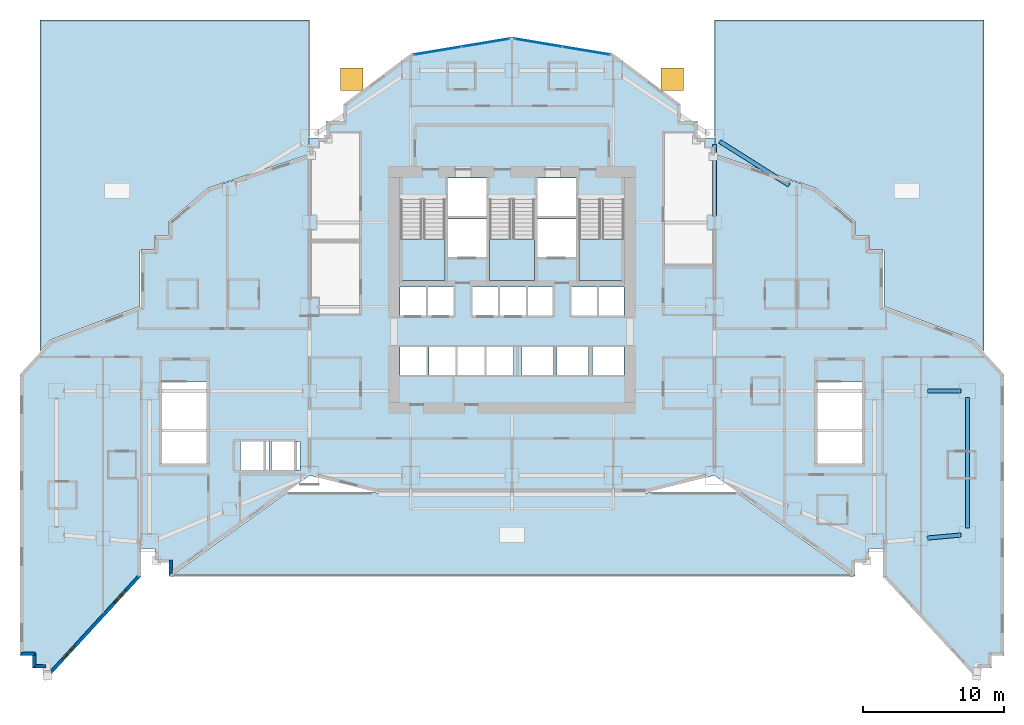
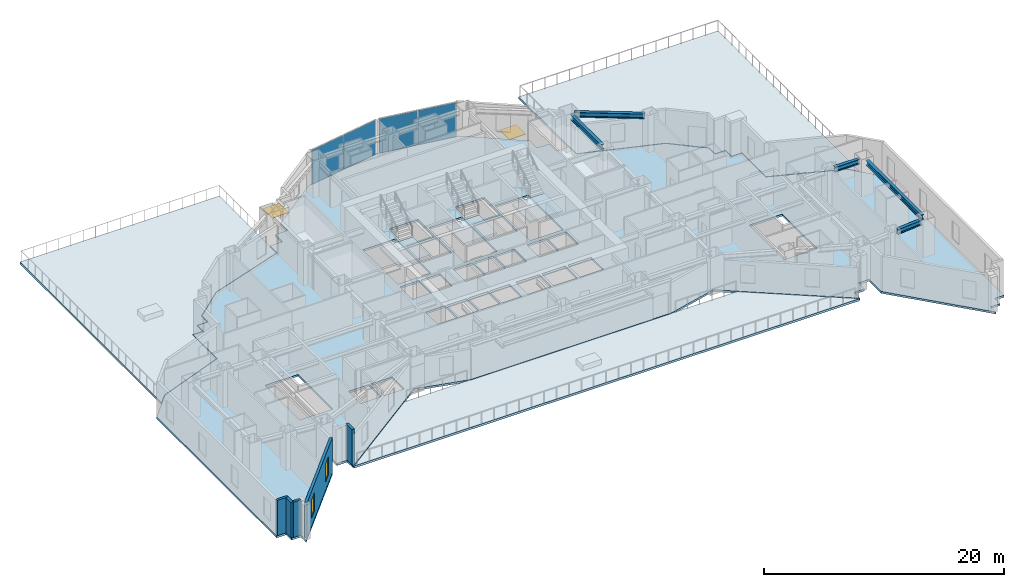
# One storey, part 6 of 20: 7 slabs, 5 beams, 5 walls, 4 plates, 4 windows, 4 openings, 5 elements without a shape of their own.
"""IFC4 building model written with IfcOpenShell, lengths in metres."""

from ifc_helpers import new_model, si_unit, direction, frame, frame_2d, origin, origin_2d, place, context, subcontext, project, spatial, polyline, rectangle, i_section, outline, extrude, material, layer, layer_set, material_profile, profile_set, type_object, element, fill, aggregate, save


model = new_model("IFC4")

# Units and contexts
model_context = context("Model", 3, precision=1e-05, world=origin(), true_north=direction((0.0, 1.0)))
body_context = subcontext(model_context, "Body", "Model", "MODEL_VIEW")
ifc_project = project(units=[si_unit("LENGTHUNIT", "METRE"), si_unit("AREAUNIT", "SQUARE_METRE"), si_unit("VOLUMEUNIT", "CUBIC_METRE"), si_unit("PLANEANGLEUNIT", "RADIAN"), si_unit("MASSUNIT", "GRAM", prefix="KILO")], contexts=[model_context])

# Site, building, storey
site_placement = place(None, origin())
site = spatial("IfcSite", under=ifc_project, at=site_placement, CompositionType="ELEMENT")
building_placement = place(site_placement, origin())
building = spatial("IfcBuilding", under=site, at=building_placement, Name="Haolan Belvedere Tower", CompositionType="ELEMENT")
storey_placement = place(building_placement, frame((0.0, 0.0, 24.0)))
storey = spatial("IfcBuildingStorey", under=building, at=storey_placement, Name="L05", CompositionType="ELEMENT", Elevation=24.0)

# Beams
ifc_material_1 = material(Name="Steel Q355B", Category="steel")
ifc_material_profile = material_profile(ifc_material_1, i_section(OverallWidth=0.300048828125, OverallDepth=0.488037109375, WebThickness=0.010986328125, FlangeThickness=0.01806640625, FilletRadius=0.02587890625, at=origin_2d()), Name="Steel Q355B")
ifc_profile_set = profile_set([ifc_material_profile], Name="Steel Q355B")
beam_type = type_object("IfcBeamType", Name="BM-HM488x300x11x18", PredefinedType="SPANDREL", material=ifc_profile_set)
beam_1_placement = place(storey_placement, frame((52.800048828125, 40.050048828125, 3.35595703125), z_axis=(0.0, 1.0, 0.0), x_axis=(-1.0, 0.0, 0.0)))
element("IfcBeam", 1, at=beam_1_placement, inside=storey, type_object=beam_type, Name="L05 spandrel girder TC-T3-E2-MC-T3-NE", PredefinedType="SPANDREL", context=body_context, shape_type="SweptSolid", body=[
    extrude(i_section(OverallWidth=0.300048828125, OverallDepth=0.488037109375, WebThickness=0.010986328125, FlangeThickness=0.01806640625, FilletRadius=0.02587890625, at=origin_2d()), origin(), (0.0, 0.0, 1.0), 5.099853515625),
])
beam_2_placement = place(storey_placement, frame((53.180419921875, 45.359619140625, 3.35595703125), z_axis=(0.845497840649, -0.533978839898, 0.0), x_axis=(0.533978839898, 0.845497840649, 0.0)))
element("IfcBeam", 2, at=beam_2_placement, inside=storey, type_object=beam_type, Name="L05 spandrel girder MC-T3-NE-TC-T4-N1", PredefinedType="SPANDREL", context=body_context, shape_type="SweptSolid", body=[
    extrude(i_section(OverallWidth=0.300048828125, OverallDepth=0.488037109375, WebThickness=0.010986328125, FlangeThickness=0.01806640625, FilletRadius=0.02587890625, at=origin_2d()), origin(), (0.0, 0.0, 1.0), 5.841796875),
])
beam_3_placement = place(storey_placement, frame((70.800048828125, 17.85009765625, 3.35595703125), z_axis=(0.0, 1.0, 0.0), x_axis=(-1.0, 0.0, 0.0)))
element("IfcBeam", 3, at=beam_3_placement, inside=storey, type_object=beam_type, Name="L05 spandrel girder MC-T5-SE-MC-T5-NE", PredefinedType="SPANDREL", context=body_context, shape_type="SweptSolid", body=[
    extrude(i_section(OverallWidth=0.300048828125, OverallDepth=0.488037109375, WebThickness=0.010986328125, FlangeThickness=0.01806640625, FilletRadius=0.02587890625, at=origin_2d()), origin(), (0.0, 0.0, 1.0), 9.2998046875),
])
beam_4_placement = place(storey_placement, frame((67.9482421875, 17.140625, 3.35595703125), z_axis=(0.995884080761, 0.090636072764, 0.0), x_axis=(-0.090636072764, 0.995884080761, 0.0)))
element("IfcBeam", 4, at=beam_4_placement, inside=storey, type_object=beam_type, Name="L05 spandrel girder TC-T5-M1-MC-T5-SE", PredefinedType="SPANDREL", context=body_context, shape_type="SweptSolid", body=[
    extrude(i_section(OverallWidth=0.300048828125, OverallDepth=0.488037109375, WebThickness=0.010986328125, FlangeThickness=0.01806640625, FilletRadius=0.02587890625, at=origin_2d()), origin(), (0.0, 0.0, 1.0), 2.41357421875),
])
beam_5_placement = place(storey_placement, frame((67.949951171875, 27.60009765625, 3.35595703125), z_axis=(1.0, 0.0, 0.0), x_axis=(0.0, 1.0, 0.0)))
element("IfcBeam", 5, at=beam_5_placement, inside=storey, type_object=beam_type, Name="L05 spandrel girder TC-T5-M2-MC-T5-NE", PredefinedType="SPANDREL", context=body_context, shape_type="SweptSolid", body=[
    extrude(i_section(OverallWidth=0.300048828125, OverallDepth=0.488037109375, WebThickness=0.010986328125, FlangeThickness=0.01806640625, FilletRadius=0.02587890625, at=origin_2d()), origin(), (0.0, 0.0, 1.0), 2.400146484375),
])

# Curtain wall, plates
ifc_material_2 = material(Name="Anodised champagne-silver aluminium 6063-T6 and Low-E glass", Category="aluminium")
ifc_layer_1 = layer(ifc_material_2, 0.1650390625, Name="Anodised champagne-silver aluminium 6063-T6 and Low-E glass")
ifc_layer_set_1 = layer_set([ifc_layer_1], Name="Anodised champagne-silver aluminium 6063-T6 and Low-E glass")
curtain_wall_type = type_object("IfcCurtainWallType", Name="CW-SYS-02", PredefinedType="NOTDEFINED", material=ifc_layer_set_1)
curtain_wall_1_placement = place(storey_placement, origin())
curtain_wall_1 = element("IfcCurtainWall", 6, at=curtain_wall_1_placement, inside=storey, type_object=curtain_wall_type, Name="L05 CW-SYS-02 ribbon curtain wall 42.1", PredefinedType="NOTDEFINED")
ifc_material_3 = material(Name="Double silver Low-E laminated insulating glass", Category="glass")
ifc_layer_2 = layer(ifc_material_3, 0.02587890625, Name="Double silver Low-E laminated insulating glass")
ifc_layer_set_2 = layer_set([ifc_layer_2], Name="Double silver Low-E laminated insulating glass")
plate_type = type_object("IfcPlateType", Name="CW-SYS-02-PNL", PredefinedType="CURTAIN_PANEL", material=ifc_layer_set_2)
plate_1_placement = place(storey_placement, frame((43.6796875, 51.79833984375, 0.05517578125), z_axis=(0.0, 0.0, 1.0), x_axis=(-0.9863931483, 0.16440364043, 0.0)))
plate_1 = element("IfcPlate", 7, at=plate_1_placement, type_object=plate_type, Name="CW-02 panel 1.1", PredefinedType="CURTAIN_PANEL", context=body_context, shape_type="SweptSolid", body=[
    extrude(rectangle(XDim=3.39501953125, YDim=0.02587890625, at=origin_2d()), origin(), (0.0, 0.0, 1.0), 3.489990234375),
])
plate_2_placement = place(storey_placement, frame((40.271728515625, 52.366455078125, 0.05517578125), z_axis=(0.0, 0.0, 1.0), x_axis=(-0.9863931483, 0.16440364043, 0.0)))
plate_2 = element("IfcPlate", 8, at=plate_2_placement, type_object=plate_type, Name="CW-02 panel 2.1", PredefinedType="CURTAIN_PANEL", context=body_context, shape_type="SweptSolid", body=[
    extrude(rectangle(XDim=3.39501953125, YDim=0.02587890625, at=origin_2d()), origin(), (0.0, 0.0, 1.0), 3.489990234375),
])
aggregate(curtain_wall_1, [plate_1, plate_2])

curtain_wall_2_placement = place(storey_placement, origin())
curtain_wall_2 = element("IfcCurtainWall", 9, at=curtain_wall_2_placement, inside=storey, type_object=curtain_wall_type, Name="L05 CW-SYS-02 ribbon curtain wall 43.1", PredefinedType="NOTDEFINED")
plate_3_placement = place(storey_placement, frame((36.5283203125, 52.366455078125, 0.05517578125), z_axis=(0.0, 0.0, 1.0), x_axis=(-0.9863931483, -0.16440364043, 0.0)))
plate_3 = element("IfcPlate", 10, at=plate_3_placement, type_object=plate_type, Name="CW-02 panel 1.1", PredefinedType="CURTAIN_PANEL", context=body_context, shape_type="SweptSolid", body=[
    extrude(rectangle(XDim=3.39501953125, YDim=0.02587890625, at=origin_2d()), origin(), (0.0, 0.0, 1.0), 3.489990234375),
])
plate_4_placement = place(storey_placement, frame((33.120361328125, 51.79833984375, 0.05517578125), z_axis=(0.0, 0.0, 1.0), x_axis=(-0.9863931483, -0.16440364043, 0.0)))
plate_4 = element("IfcPlate", 11, at=plate_4_placement, type_object=plate_type, Name="CW-02 panel 2.1", PredefinedType="CURTAIN_PANEL", context=body_context, shape_type="SweptSolid", body=[
    extrude(rectangle(XDim=3.39501953125, YDim=0.02587890625, at=origin_2d()), origin(), (0.0, 0.0, 1.0), 3.489990234375),
])
aggregate(curtain_wall_2, [plate_3, plate_4])

# Slab, openings, windows
ifc_material_4 = material(Name="Concrete C40/50", Category="concrete")
ifc_layer_3 = layer(ifc_material_4, 0.199951171875, Name="Concrete C40/50")
ifc_layer_set_3 = layer_set([ifc_layer_3], Name="Concrete C40/50")
slab_type_1 = type_object("IfcSlabType", Name="SL-FLR-200", PredefinedType="FLOOR", material=ifc_layer_set_3)
slab_1_placement = place(storey_placement, frame((0.0, 0.0, -0.199951171875)))
slab_1 = element("IfcSlab", 12, at=slab_1_placement, inside=storey, type_object=slab_type_1, Name="L05 structural floor slab", PredefinedType="FLOOR", context=body_context, shape_type="SweptSolid", body=[
    extrude(outline(polyline([(3.39990234375, 28.800048828125), (3.39990234375, 9.389892578125), (3.39990234375, 8.7900390625), (4.300048828125, 8.7900390625), (4.300048828125, 7.889892578125), (5.199951171875, 7.889892578125), (5.199951171875, 6.989990234375), (12.0, 14.39990234375), (12.0, 16.39990234375), (13.0, 16.39990234375), (13.0, 15.39990234375), (14.0, 15.39990234375), (14.0, 14.39990234375), (24.0, 21.60009765625), (28.800048828125, 20.39990234375), (48.0, 20.39990234375), (52.800048828125, 21.60009765625), (62.800048828125, 14.39990234375), (62.800048828125, 15.39990234375), (63.800048828125, 15.39990234375), (63.800048828125, 16.39990234375), (64.800048828125, 16.39990234375), (64.800048828125, 14.39990234375), (71.60009765625, 6.989990234375), (71.60009765625, 7.889892578125), (72.5, 7.889892578125), (72.5, 8.7900390625), (73.39990234375, 8.7900390625), (73.39990234375, 28.800048828125), (71.199951171875, 31.199951171875), (64.800048828125, 33.60009765625), (64.800048828125, 37.60009765625), (63.800048828125, 37.60009765625), (63.800048828125, 38.60009765625), (62.800048828125, 38.60009765625), (62.800048828125, 39.60009765625), (60.0, 42.0), (52.800048828125, 44.39990234375), (52.800048828125, 45.60009765625), (51.60009765625, 45.60009765625), (51.60009765625, 46.800048828125), (50.39990234375, 46.800048828125), (50.39990234375, 48.0), (45.60009765625, 51.60009765625), (38.39990234375, 52.800048828125), (31.199951171875, 51.60009765625), (26.39990234375, 48.0), (26.39990234375, 46.800048828125), (25.199951171875, 46.800048828125), (25.199951171875, 45.60009765625), (24.0, 45.60009765625), (24.0, 44.39990234375), (16.800048828125, 42.0), (14.0, 39.60009765625), (14.0, 38.60009765625), (13.0, 38.60009765625), (13.0, 37.60009765625), (12.0, 37.60009765625), (12.0, 33.60009765625), (5.60009765625, 31.199951171875), (3.39990234375, 28.800048828125)]), holes=[polyline([(30.449951171875, 41.22998046875), (30.449951171875, 35.449951171875), (33.6298828125, 35.449951171875), (33.6298828125, 41.22998046875), (30.449951171875, 41.22998046875)]), polyline([(36.81005859375, 41.22998046875), (36.81005859375, 35.449951171875), (39.989990234375, 35.449951171875), (39.989990234375, 41.22998046875), (36.81005859375, 41.22998046875)]), polyline([(43.169921875, 41.22998046875), (43.169921875, 35.449951171875), (46.35009765625, 35.449951171875), (46.35009765625, 41.22998046875), (43.169921875, 41.22998046875)]), polyline([(13.5, 28.22998046875), (13.5, 22.449951171875), (16.679931640625, 22.449951171875), (16.679931640625, 28.22998046875), (13.5, 28.22998046875)]), polyline([(60.1201171875, 28.22998046875), (60.1201171875, 22.449951171875), (63.300048828125, 22.449951171875), (63.300048828125, 28.22998046875), (60.1201171875, 28.22998046875)]), polyline([(33.830078125, 40.050048828125), (36.610107421875, 40.050048828125), (36.610107421875, 42.75), (33.830078125, 42.75), (33.830078125, 40.050048828125)]), polyline([(33.830078125, 37.14990234375), (36.610107421875, 37.14990234375), (36.610107421875, 39.85009765625), (33.830078125, 39.85009765625), (33.830078125, 37.14990234375)]), polyline([(40.18994140625, 40.050048828125), (42.969970703125, 40.050048828125), (42.969970703125, 42.75), (40.18994140625, 42.75), (40.18994140625, 40.050048828125)]), polyline([(40.18994140625, 37.14990234375), (42.969970703125, 37.14990234375), (42.969970703125, 39.85009765625), (40.18994140625, 39.85009765625), (40.18994140625, 37.14990234375)]), polyline([(30.419921875, 32.949951171875), (32.27001953125, 32.949951171875), (32.27001953125, 35.0), (30.419921875, 35.0), (30.419921875, 32.949951171875)]), polyline([(32.409912109375, 32.949951171875), (34.260009765625, 32.949951171875), (34.260009765625, 35.0), (32.409912109375, 35.0), (32.409912109375, 32.949951171875)]), polyline([(35.56005859375, 32.949951171875), (37.409912109375, 32.949951171875), (37.409912109375, 35.0), (35.56005859375, 35.0), (35.56005859375, 32.949951171875)]), polyline([(37.550048828125, 32.949951171875), (39.39990234375, 32.949951171875), (39.39990234375, 35.0), (37.550048828125, 35.0), (37.550048828125, 32.949951171875)]), polyline([(39.5400390625, 32.949951171875), (41.389892578125, 32.949951171875), (41.389892578125, 35.0), (39.5400390625, 35.0), (39.5400390625, 32.949951171875)]), polyline([(42.6201171875, 32.949951171875), (44.469970703125, 32.949951171875), (44.469970703125, 35.0), (42.6201171875, 35.0), (42.6201171875, 32.949951171875)]), polyline([(44.580078125, 32.949951171875), (46.3798828125, 32.949951171875), (46.3798828125, 35.0), (44.580078125, 35.0), (44.580078125, 32.949951171875)]), polyline([(30.419921875, 28.75), (32.320068359375, 28.75), (32.320068359375, 30.75), (30.419921875, 30.75), (30.419921875, 28.75)]), polyline([(32.47998046875, 28.75), (34.3798828125, 28.75), (34.3798828125, 30.75), (32.47998046875, 30.75), (32.47998046875, 28.75)]), polyline([(34.5400390625, 28.75), (36.43994140625, 28.75), (36.43994140625, 30.75), (34.5400390625, 30.75), (34.5400390625, 28.75)]), polyline([(36.60009765625, 28.75), (38.5, 28.75), (38.5, 30.75), (36.60009765625, 30.75), (36.60009765625, 28.75)]), polyline([(39.10009765625, 28.75), (41.340087890625, 28.75), (41.340087890625, 30.75), (39.10009765625, 30.75), (39.10009765625, 28.75)]), polyline([(41.610107421875, 28.75), (43.85009765625, 28.75), (43.85009765625, 30.75), (41.610107421875, 30.75), (41.610107421875, 28.75)]), polyline([(44.1201171875, 28.75), (46.360107421875, 28.75), (46.360107421875, 30.75), (44.1201171875, 30.75), (44.1201171875, 28.75)]), polyline([(19.10009765625, 22.0), (21.10009765625, 22.0), (21.10009765625, 24.0), (19.10009765625, 24.0), (19.10009765625, 22.0)]), polyline([(21.300048828125, 22.0), (23.300048828125, 22.0), (23.300048828125, 24.0), (21.300048828125, 24.0), (21.300048828125, 22.0)])]), origin(), (0.0, 0.0, 1.0), 0.199951171875),
])
opening_1_placement = place(slab_1_placement, frame((27.0, 49.800048828125, 0.0)))
opening_1 = element("IfcOpeningElement", 13, at=opening_1_placement, cuts=slab_1, Name="Opening SK-01", PredefinedType="OPENING", context=body_context, shape_type="SweptSolid", body=[
    extrude(rectangle(XDim=1.60009765625, YDim=1.60009765625, at=origin_2d()), frame((0.0, 0.0, -0.010009765625)), (0.0, 0.0, 1.0), 0.219970703125),
])
opening_2_placement = place(slab_1_placement, frame((49.800048828125, 49.800048828125, 0.0)))
opening_2 = element("IfcOpeningElement", 14, at=opening_2_placement, cuts=slab_1, Name="Opening SK-01", PredefinedType="OPENING", context=body_context, shape_type="SweptSolid", body=[
    extrude(rectangle(XDim=1.60009765625, YDim=1.60009765625, at=origin_2d()), frame((0.0, 0.0, -0.010009765625)), (0.0, 0.0, 1.0), 0.219970703125),
])
ifc_material_5 = material(Name="Laminated solar-control skylight glass", Category="glass")
window_type_1 = type_object("IfcWindowType", Name="WN-SKY-160", PartitioningType="SINGLE_PANEL", PredefinedType="SKYLIGHT", material=ifc_material_5)
window_1_placement = place(opening_1_placement, frame((0.0, 0.0, 0.14990234375)))
window_1 = element("IfcWindow", 15, at=window_1_placement, inside=storey, type_object=window_type_1, Name="L05 architectural daylight skylight SKY-L05-1", OverallHeight=1.60009765625, OverallWidth=1.60009765625, PartitioningType="SINGLE_PANEL", PredefinedType="SKYLIGHT", context=body_context, shape_type="SweptSolid", body=[
    extrude(rectangle(XDim=1.60009765625, YDim=1.60009765625, at=origin_2d()), origin(), (0.0, 0.0, 1.0), 0.050048828125),
])
fill(opening_1, window_1)
window_2_placement = place(opening_2_placement, frame((0.0, 0.0, 0.14990234375)))
window_2 = element("IfcWindow", 16, at=window_2_placement, inside=storey, type_object=window_type_1, Name="L05 architectural daylight skylight SKY-L05-2", OverallHeight=1.60009765625, OverallWidth=1.60009765625, PartitioningType="SINGLE_PANEL", PredefinedType="SKYLIGHT", context=body_context, shape_type="SweptSolid", body=[
    extrude(rectangle(XDim=1.60009765625, YDim=1.60009765625, at=origin_2d()), origin(), (0.0, 0.0, 1.0), 0.050048828125),
])
fill(opening_2, window_2)

# Stair, slab
stair_type = type_object("IfcStairType", Name="STR-DL-22R-173", PredefinedType="HALF_TURN_STAIR", material=ifc_material_4)
stair_1_placement = place(storey_placement, origin())
stair_1 = element("IfcStair", 17, at=stair_1_placement, inside=storey, type_object=stair_type, Name="L05 Smokeproof Core Exit Stair ST1", PredefinedType="HALF_TURN_STAIR")
ifc_layer_4 = layer(ifc_material_4, 0.199951171875, Name="Concrete C40/50")
ifc_layer_set_4 = layer_set([ifc_layer_4], Name="Concrete C40/50")
slab_type_2 = type_object("IfcSlabType", Name="SL-LAND-200", PredefinedType="LANDING", material=ifc_layer_set_4)
slab_2_placement = place(storey_placement, frame((0.0, 0.0, 1.699951171875)))
slab_2 = element("IfcSlab", 18, at=slab_2_placement, type_object=slab_type_2, Name="ST1 landing 1", PredefinedType="LANDING", context=body_context, shape_type="SweptSolid", body=[
    extrude(outline(polyline([(30.449951171875, 38.429931640625), (30.449951171875, 35.449951171875), (33.6298828125, 35.449951171875), (33.6298828125, 38.429931640625), (30.449951171875, 38.429931640625)])), origin(), (0.0, 0.0, 1.0), 0.199951171875),
])
aggregate(stair_1, [slab_2])

stair_2_placement = place(storey_placement, origin())
stair_2 = element("IfcStair", 19, at=stair_2_placement, inside=storey, type_object=stair_type, Name="L05 Smokeproof Core Exit Stair ST3", PredefinedType="HALF_TURN_STAIR")
slab_3_placement = place(storey_placement, frame((0.0, 0.0, 1.699951171875)))
slab_3 = element("IfcSlab", 20, at=slab_3_placement, type_object=slab_type_2, Name="ST3 landing 1", PredefinedType="LANDING", context=body_context, shape_type="SweptSolid", body=[
    extrude(outline(polyline([(36.81005859375, 38.429931640625), (36.81005859375, 35.449951171875), (39.989990234375, 35.449951171875), (39.989990234375, 38.429931640625), (36.81005859375, 38.429931640625)])), origin(), (0.0, 0.0, 1.0), 0.199951171875),
])
aggregate(stair_2, [slab_3])

stair_3_placement = place(storey_placement, origin())
stair_3 = element("IfcStair", 21, at=stair_3_placement, inside=storey, type_object=stair_type, Name="L05 Smokeproof Core Exit Stair ST2", PredefinedType="HALF_TURN_STAIR")
slab_4_placement = place(storey_placement, frame((0.0, 0.0, 1.699951171875)))
slab_4 = element("IfcSlab", 22, at=slab_4_placement, type_object=slab_type_2, Name="ST2 landing 1", PredefinedType="LANDING", context=body_context, shape_type="SweptSolid", body=[
    extrude(outline(polyline([(43.169921875, 38.429931640625), (43.169921875, 35.449951171875), (46.35009765625, 35.449951171875), (46.35009765625, 38.429931640625), (43.169921875, 38.429931640625)])), origin(), (0.0, 0.0, 1.0), 0.199951171875),
])
aggregate(stair_3, [slab_4])

# Slabs
ifc_layer_5 = layer(ifc_material_4, 0.219970703125, Name="Concrete C40/50")
ifc_layer_set_5 = layer_set([ifc_layer_5], Name="Concrete C40/50")
slab_type_3 = type_object("IfcSlabType", Name="SL-TER-220", PredefinedType="FLOOR", material=ifc_layer_set_5)
slab_5_placement = place(storey_placement, frame((0.0, 0.0, -0.239990234375)))
element("IfcSlab", 23, at=slab_5_placement, inside=storey, type_object=slab_type_3, Name="L05 planted garden terrace slab 1", PredefinedType="FLOOR", context=body_context, shape_type="SweptSolid", body=[
    extrude(outline(polyline([(54.381103515625, 20.39990234375), (48.206298828125, 20.39990234375), (48.014404296875, 20.35205078125), (48.010498046875, 20.351318359375), (48.001708984375, 20.35009765625), (47.997802734375, 20.35009765625), (28.80224609375, 20.35009765625), (28.798095703125, 20.35009765625), (28.78955078125, 20.351318359375), (28.78564453125, 20.35205078125), (28.593505859375, 20.39990234375), (22.4189453125, 20.39990234375), (14.085693359375, 14.39990234375), (62.71435546875, 14.39990234375), (54.381103515625, 20.39990234375)])), origin(), (0.0, 0.0, 1.0), 0.219970703125),
])
slab_6_placement = place(storey_placement, frame((0.0, 0.0, -0.239990234375)))
element("IfcSlab", 24, at=slab_6_placement, inside=storey, type_object=slab_type_3, Name="L05 planted garden terrace slab 2", PredefinedType="FLOOR", context=body_context, shape_type="SweptSolid", body=[
    extrude(outline(polyline([(24.0, 45.64990234375), (24.0, 54.0), (4.800048828125, 54.0), (4.800048828125, 30.4013671875), (5.56201171875, 31.232421875), (5.564208984375, 31.234619140625), (5.568359375, 31.238525390625), (5.572021484375, 31.2412109375), (5.576171875, 31.243896484375), (5.581298828125, 31.246337890625), (5.583984375, 31.247314453125), (11.949951171875, 33.634765625), (11.949951171875, 37.59814453125), (11.9501953125, 37.601318359375), (11.95068359375, 37.607421875), (11.95166015625, 37.612060546875), (11.952880859375, 37.61669921875), (11.954833984375, 37.621337890625), (11.957275390625, 37.62548828125), (11.9599609375, 37.629638671875), (11.962890625, 37.633544921875), (11.966552734375, 37.636962890625), (11.97021484375, 37.64013671875), (11.974365234375, 37.642822265625), (11.978759765625, 37.64501953125), (11.983154296875, 37.64697265625), (11.98779296875, 37.6484375), (11.99267578125, 37.6494140625), (11.99853515625, 37.64990234375), (12.001708984375, 37.64990234375), (12.949951171875, 37.64990234375), (12.949951171875, 38.59814453125), (12.9501953125, 38.601318359375), (12.95068359375, 38.607421875), (12.95166015625, 38.612060546875), (12.952880859375, 38.61669921875), (12.954833984375, 38.621337890625), (12.957275390625, 38.62548828125), (12.9599609375, 38.629638671875), (12.962890625, 38.633544921875), (12.966552734375, 38.636962890625), (12.97021484375, 38.64013671875), (12.974365234375, 38.642822265625), (12.978759765625, 38.64501953125), (12.983154296875, 38.64697265625), (12.98779296875, 38.6484375), (12.99267578125, 38.6494140625), (12.99853515625, 38.64990234375), (13.001708984375, 38.64990234375), (13.949951171875, 38.64990234375), (13.949951171875, 39.59814453125), (13.9501953125, 39.601318359375), (13.95068359375, 39.607177734375), (13.951416015625, 39.61181640625), (13.952880859375, 39.616455078125), (13.95458984375, 39.620849609375), (13.956787109375, 39.625), (13.95947265625, 39.629150390625), (13.96240234375, 39.6328125), (13.966552734375, 39.636962890625), (13.96875, 39.63916015625), (16.76611328125, 42.036865234375), (16.7685546875, 42.038818359375), (16.7734375, 42.042236328125), (16.777587890625, 42.04443359375), (16.782958984375, 42.046875), (16.785888671875, 42.048095703125), (23.949951171875, 44.43603515625), (23.949951171875, 45.59814453125), (23.9501953125, 45.601318359375), (23.95068359375, 45.607421875), (23.95166015625, 45.612060546875), (23.952880859375, 45.61669921875), (23.954833984375, 45.621337890625), (23.957275390625, 45.62548828125), (23.9599609375, 45.629638671875), (23.962890625, 45.633544921875), (23.966552734375, 45.636962890625), (23.97021484375, 45.64013671875), (23.974365234375, 45.642822265625), (23.978759765625, 45.64501953125), (23.983154296875, 45.64697265625), (23.98779296875, 45.6484375), (23.99267578125, 45.6494140625), (23.99853515625, 45.64990234375), (24.0, 45.64990234375)])), origin(), (0.0, 0.0, 1.0), 0.219970703125),
])
slab_7_placement = place(storey_placement, frame((0.0, 0.0, -0.239990234375)))
element("IfcSlab", 25, at=slab_7_placement, inside=storey, type_object=slab_type_3, Name="L05 planted garden terrace slab 3", PredefinedType="FLOOR", context=body_context, shape_type="SweptSolid", body=[
    extrude(outline(polyline([(52.800048828125, 54.0), (52.800048828125, 45.64990234375), (52.801513671875, 45.64990234375), (52.807373046875, 45.6494140625), (52.81201171875, 45.6484375), (52.81689453125, 45.64697265625), (52.8212890625, 45.64501953125), (52.82568359375, 45.642822265625), (52.82958984375, 45.64013671875), (52.83349609375, 45.636962890625), (52.8369140625, 45.633544921875), (52.840087890625, 45.629638671875), (52.8427734375, 45.62548828125), (52.84521484375, 45.621337890625), (52.846923828125, 45.61669921875), (52.848388671875, 45.612060546875), (52.849365234375, 45.607421875), (52.849853515625, 45.601318359375), (52.85009765625, 45.59814453125), (52.85009765625, 44.43603515625), (60.01416015625, 42.048095703125), (60.01708984375, 42.046875), (60.0224609375, 42.04443359375), (60.026611328125, 42.042236328125), (60.031494140625, 42.038818359375), (60.033935546875, 42.036865234375), (62.831298828125, 39.63916015625), (62.83349609375, 39.636962890625), (62.837646484375, 39.6328125), (62.840576171875, 39.629150390625), (62.843017578125, 39.625), (62.84521484375, 39.620849609375), (62.84716796875, 39.616455078125), (62.848388671875, 39.61181640625), (62.849365234375, 39.607177734375), (62.849853515625, 39.601318359375), (62.85009765625, 39.59814453125), (62.85009765625, 38.64990234375), (63.798095703125, 38.64990234375), (63.801513671875, 38.64990234375), (63.807373046875, 38.6494140625), (63.81201171875, 38.6484375), (63.81689453125, 38.64697265625), (63.8212890625, 38.64501953125), (63.82568359375, 38.642822265625), (63.82958984375, 38.64013671875), (63.83349609375, 38.636962890625), (63.8369140625, 38.633544921875), (63.840087890625, 38.629638671875), (63.8427734375, 38.62548828125), (63.84521484375, 38.621337890625), (63.846923828125, 38.61669921875), (63.848388671875, 38.612060546875), (63.849365234375, 38.607421875), (63.849853515625, 38.601318359375), (63.85009765625, 38.59814453125), (63.85009765625, 37.64990234375), (64.798095703125, 37.64990234375), (64.801513671875, 37.64990234375), (64.807373046875, 37.6494140625), (64.81201171875, 37.6484375), (64.81689453125, 37.64697265625), (64.8212890625, 37.64501953125), (64.82568359375, 37.642822265625), (64.82958984375, 37.64013671875), (64.83349609375, 37.636962890625), (64.8369140625, 37.633544921875), (64.840087890625, 37.629638671875), (64.8427734375, 37.62548828125), (64.84521484375, 37.621337890625), (64.846923828125, 37.61669921875), (64.848388671875, 37.612060546875), (64.849365234375, 37.607421875), (64.849853515625, 37.601318359375), (64.85009765625, 37.59814453125), (64.85009765625, 33.634765625), (71.2158203125, 31.247314453125), (71.21875, 31.246337890625), (71.223876953125, 31.243896484375), (71.227783203125, 31.2412109375), (71.231689453125, 31.238525390625), (71.23583984375, 31.234619140625), (71.238037109375, 31.232421875), (72.0, 30.4013671875), (72.0, 54.0), (52.800048828125, 54.0)])), origin(), (0.0, 0.0, 1.0), 0.219970703125),
])

# Walls
ifc_material_6 = material(Name="Precast concrete C40/50", Category="concrete")
ifc_layer_6 = layer(ifc_material_6, 0.239990234375, Name="Precast concrete C40/50")
ifc_layer_set_6 = layer_set([ifc_layer_6], Name="Precast concrete C40/50")
wall_type = type_object("IfcWallType", Name="WL-EXT-240", PredefinedType="SOLIDWALL", material=ifc_layer_set_6)
for number, where, z_axis, x_axis, name in (
    (26, (3.465087890625, 8.909912109375, 0.0), (0.0, 0.0, 1.0), (1.0, 0.0, 0.0), "L05 pale-metal exterior spandrel wall 1.1"),
    (27, (4.419921875, 8.965087890625, 0.0), (0.0, 0.0, 1.0), (0.0, -1.0, 0.0), "L05 pale-metal exterior spandrel wall 2.1"),
):
    element("IfcWall", number, at=place(storey_placement, frame(where, z_axis=z_axis, x_axis=x_axis)), inside=storey, type_object=wall_type, Name=name, PredefinedType="SOLIDWALL", context=body_context, shape_type="SweptSolid", body=[
        extrude(rectangle(XDim=1.010009765625, YDim=0.239990234375, at=frame_2d((0.5048828125, 0.0))), origin(), (0.0, 0.0, 1.0), 3.60009765625),
    ])
wall_1_placement = place(storey_placement, frame((4.485107421875, 8.010009765625, 0.0), z_axis=(0.0, 0.0, 1.0), x_axis=(1.0, 0.0, 0.0)))
element("IfcWall", 28, at=wall_1_placement, inside=storey, type_object=wall_type, Name="L05 pale-metal exterior spandrel wall 3.1", PredefinedType="SOLIDWALL", context=body_context, shape_type="SweptSolid", body=[
    extrude(rectangle(XDim=0.75, YDim=0.239990234375, at=frame_2d((0.375, 0.0))), origin(), (0.0, 0.0, 1.0), 3.60009765625),
])

# Wall, openings, windows
wall_2_placement = place(storey_placement, frame((5.37744140625, 7.36083984375, 0.0), z_axis=(0.0, 0.0, 1.0), x_axis=(0.676129143807, 0.736783130165, 0.0)))
wall_2 = element("IfcWall", 29, at=wall_2_placement, inside=storey, type_object=wall_type, Name="L05 pale-metal exterior spandrel wall 5.1", PredefinedType="SOLIDWALL", context=body_context, shape_type="SweptSolid", body=[
    extrude(rectangle(XDim=9.67236328125, YDim=0.239990234375, at=frame_2d((4.836181640625, 0.0))), origin(), (0.0, 0.0, 1.0), 3.60009765625),
])
opening_3_placement = place(wall_2_placement, frame((1.60009765625, 0.0, 0.85009765625)))
opening_3 = element("IfcOpeningElement", 30, at=opening_3_placement, cuts=wall_2, Name="Opening W-01", PredefinedType="OPENING", context=body_context, shape_type="SweptSolid", body=[
    extrude(rectangle(XDim=1.199951171875, YDim=1.85009765625, at=frame_2d((0.60009765625, 0.925048828125))), frame((0.0, 0.1298828125, 0.0), z_axis=(0.0, -1.0, 0.0), x_axis=(1.0, 0.0, 0.0)), (0.0, 0.0, 1.0), 0.260009765625),
])
opening_4_placement = place(wall_2_placement, frame((7.0, 0.0, 0.85009765625)))
opening_4 = element("IfcOpeningElement", 31, at=opening_4_placement, cuts=wall_2, Name="Opening W-01", PredefinedType="OPENING", context=body_context, shape_type="SweptSolid", body=[
    extrude(rectangle(XDim=1.199951171875, YDim=1.85009765625, at=frame_2d((0.60009765625, 0.925048828125))), frame((0.0, 0.1298828125, 0.0), z_axis=(0.0, -1.0, 0.0), x_axis=(1.0, 0.0, 0.0)), (0.0, 0.0, 1.0), 0.260009765625),
])
ifc_material_7 = material(Name="Anodised aluminium 6063-T6 and Low-E glass", Category="aluminium")
window_type_2 = type_object("IfcWindowType", Name="WN-DECO-Z1", PartitioningType="SINGLE_PANEL", PredefinedType="WINDOW", material=ifc_material_7)
window_3_placement = place(opening_3_placement, origin())
window_3 = element("IfcWindow", 32, at=window_3_placement, inside=storey, type_object=window_type_2, Name="L05 Art Deco chevron window 1", OverallHeight=1.85009765625, OverallWidth=1.199951171875, PartitioningType="SINGLE_PANEL", PredefinedType="WINDOW", context=body_context, shape_type="SweptSolid", body=[
    extrude(rectangle(XDim=1.199951171875, YDim=1.85009765625, at=frame_2d((0.60009765625, 0.925048828125))), frame((0.0, 0.030029296875, 0.0), z_axis=(0.0, -1.0, 0.0), x_axis=(1.0, 0.0, 0.0)), (0.0, 0.0, 1.0), 0.06005859375),
])
fill(opening_3, window_3)
window_4_placement = place(opening_4_placement, origin())
window_4 = element("IfcWindow", 33, at=window_4_placement, inside=storey, type_object=window_type_2, Name="L05 Art Deco chevron window 2", OverallHeight=1.85009765625, OverallWidth=1.199951171875, PartitioningType="SINGLE_PANEL", PredefinedType="WINDOW", context=body_context, shape_type="SweptSolid", body=[
    extrude(rectangle(XDim=1.199951171875, YDim=1.85009765625, at=frame_2d((0.60009765625, 0.925048828125))), frame((0.0, 0.030029296875, 0.0), z_axis=(0.0, -1.0, 0.0), x_axis=(1.0, 0.0, 0.0)), (0.0, 0.0, 1.0), 0.06005859375),
])
fill(opening_4, window_4)

# Wall
wall_3_placement = place(storey_placement, frame((14.1201171875, 15.574951171875, 0.0), z_axis=(0.0, 0.0, 1.0), x_axis=(0.0, -1.0, 0.0)))
element("IfcWall", 34, at=wall_3_placement, inside=storey, type_object=wall_type, Name="L05 pale-metal exterior spandrel wall 10.1", PredefinedType="SOLIDWALL", context=body_context, shape_type="SweptSolid", body=[
    extrude(rectangle(XDim=0.99560546875, YDim=0.239990234375, at=frame_2d((0.497802734375, 0.0))), origin(), (0.0, 0.0, 1.0), 3.60009765625),
])

save(model, "model.ifc")
